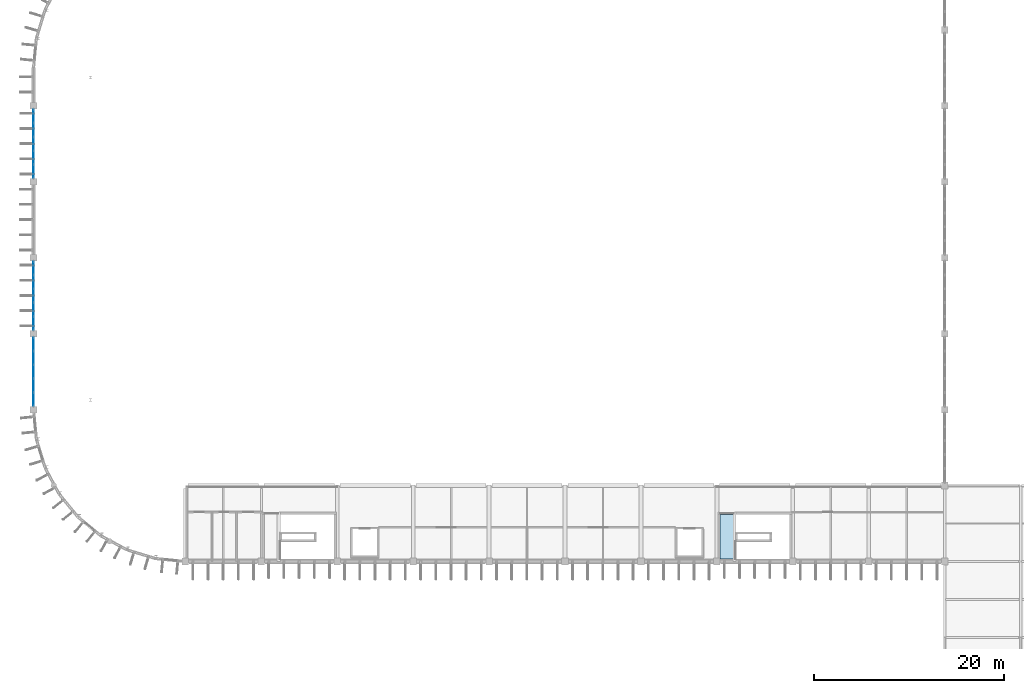
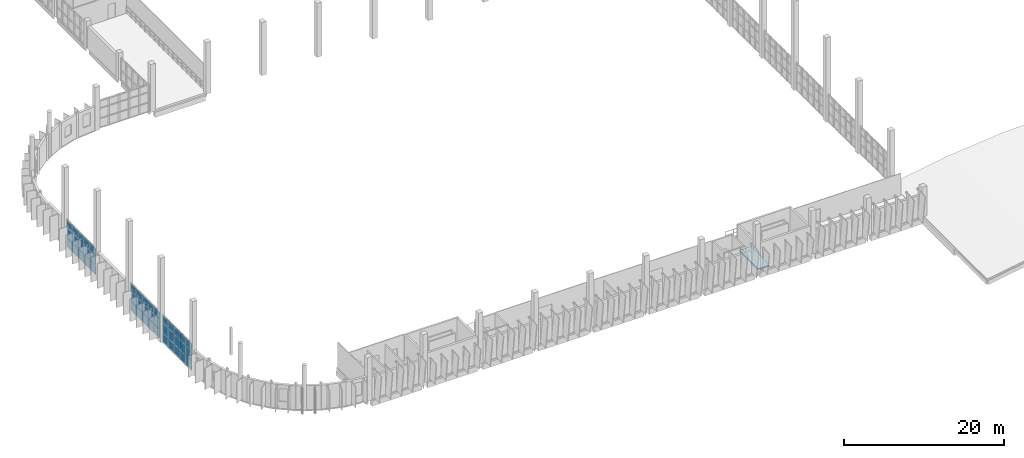
# One storey, part 36 of 66: 45 plates, 1 slab, 3 elements without a shape of their own.
"""IFC4 building model written with IfcOpenShell, lengths in metres."""

from ifc_helpers import new_model, si_unit, direction, frame, origin, origin_2d, place, context, subcontext, project, spatial, polyline, rectangle, outline, extrude, material, layer, layer_set, type_object, element, aggregate, save


model = new_model("IFC4")

# Units and contexts
model_context = context("Model", 3, precision=1e-05, world=origin(), true_north=direction((0.0, 1.0)))
body_context = subcontext(model_context, "Body", "Model", "MODEL_VIEW")
ifc_project = project(units=[si_unit("LENGTHUNIT", "METRE"), si_unit("AREAUNIT", "SQUARE_METRE"), si_unit("VOLUMEUNIT", "CUBIC_METRE"), si_unit("PLANEANGLEUNIT", "RADIAN"), si_unit("MASSUNIT", "GRAM", prefix="KILO")], contexts=[model_context])

# Site, building, storey
site_placement = place(None, origin())
site = spatial("IfcSite", under=ifc_project, at=site_placement, CompositionType="ELEMENT")
building_placement = place(site_placement, origin())
building = spatial("IfcBuilding", under=site, at=building_placement, Name="Drelvana Railside Aquatics Centre", CompositionType="ELEMENT")
storey_placement = place(building_placement, frame((0.0, 0.0, 10.199951171875)))
storey = spatial("IfcBuildingStorey", under=building, at=storey_placement, Name="L02", CompositionType="ELEMENT", Elevation=10.199951171875)

# Curtain wall, plates
ifc_material_1 = material(Name="Bronze-anodised aluminium curtain wall", Category="aluminium")
ifc_layer_1 = layer(ifc_material_1, 0.219970703125, Name="Bronze-anodised aluminium curtain wall")
ifc_layer_set_1 = layer_set([ifc_layer_1], Name="Bronze-anodised aluminium curtain wall")
curtain_wall_type = type_object("IfcCurtainWallType", Name="CW-Z3-HIGH", PredefinedType="NOTDEFINED", material=ifc_layer_set_1)
curtain_wall_1_placement = place(storey_placement, origin())
curtain_wall_1 = element("IfcCurtainWall", 1, at=curtain_wall_1_placement, inside=storey, type_object=curtain_wall_type, Name="Curtain wall CW-03-043", PredefinedType="NOTDEFINED")
ifc_material_2 = material(Name="Double-glazed low-e solar-control glass", Category="glass")
ifc_layer_2 = layer(ifc_material_2, 0.035888671875, Name="Double-glazed low-e solar-control glass")
ifc_layer_set_2 = layer_set([ifc_layer_2], Name="Double-glazed low-e solar-control glass")
plate_type = type_object("IfcPlateType", Name="CW-Z3-HIGH-PAN", PredefinedType="CURTAIN_PANEL", material=ifc_layer_set_2)
plate_1_placement = place(storey_placement, frame((0.0, 33.09521484375, 0.06396484375), z_axis=(0.0, 0.0, 1.0), x_axis=(0.0, 1.0, 0.0)))
plate_1 = element("IfcPlate", 2, at=plate_1_placement, type_object=plate_type, Name="CW-03 panel 1.1", PredefinedType="CURTAIN_PANEL", context=body_context, shape_type="SweptSolid", body=[
    extrude(rectangle(XDim=1.352294921875, YDim=0.035888671875, at=origin_2d()), origin(), (0.0, 0.0, 1.0), 1.366455078125),
])
plate_2_placement = place(storey_placement, frame((0.0, 33.09521484375, 1.49560546875), z_axis=(0.0, 0.0, 1.0), x_axis=(0.0, 1.0, 0.0)))
plate_2 = element("IfcPlate", 3, at=plate_2_placement, type_object=plate_type, Name="CW-03 panel 1.2", PredefinedType="CURTAIN_PANEL", context=body_context, shape_type="SweptSolid", body=[
    extrude(rectangle(XDim=1.352294921875, YDim=0.035888671875, at=origin_2d()), origin(), (0.0, 0.0, 1.0), 1.487060546875),
])
plate_3_placement = place(storey_placement, frame((0.0, 33.09521484375, 3.04736328125), z_axis=(0.0, 0.0, 1.0), x_axis=(0.0, 1.0, 0.0)))
plate_3 = element("IfcPlate", 4, at=plate_3_placement, type_object=plate_type, Name="CW-03 panel 1.3", PredefinedType="CURTAIN_PANEL", context=body_context, shape_type="SweptSolid", body=[
    extrude(rectangle(XDim=1.352294921875, YDim=0.035888671875, at=origin_2d()), origin(), (0.0, 0.0, 1.0), 1.072509765625),
])
plate_4_placement = place(storey_placement, frame((0.0, 34.53759765625, 0.06396484375), z_axis=(0.0, 0.0, 1.0), x_axis=(0.0, 1.0, 0.0)))
plate_4 = element("IfcPlate", 5, at=plate_4_placement, type_object=plate_type, Name="CW-03 panel 2.1", PredefinedType="CURTAIN_PANEL", context=body_context, shape_type="SweptSolid", body=[
    extrude(rectangle(XDim=1.392333984375, YDim=0.035888671875, at=origin_2d()), origin(), (0.0, 0.0, 1.0), 1.366455078125),
])
plate_5_placement = place(storey_placement, frame((0.0, 34.53759765625, 1.49560546875), z_axis=(0.0, 0.0, 1.0), x_axis=(0.0, 1.0, 0.0)))
plate_5 = element("IfcPlate", 6, at=plate_5_placement, type_object=plate_type, Name="CW-03 panel 2.2", PredefinedType="CURTAIN_PANEL", context=body_context, shape_type="SweptSolid", body=[
    extrude(rectangle(XDim=1.392333984375, YDim=0.035888671875, at=origin_2d()), origin(), (0.0, 0.0, 1.0), 1.487060546875),
])
plate_6_placement = place(storey_placement, frame((0.0, 34.53759765625, 3.04736328125), z_axis=(0.0, 0.0, 1.0), x_axis=(0.0, 1.0, 0.0)))
plate_6 = element("IfcPlate", 7, at=plate_6_placement, type_object=plate_type, Name="CW-03 panel 2.3", PredefinedType="CURTAIN_PANEL", context=body_context, shape_type="SweptSolid", body=[
    extrude(rectangle(XDim=1.392333984375, YDim=0.035888671875, at=origin_2d()), origin(), (0.0, 0.0, 1.0), 1.072509765625),
])
plate_7_placement = place(storey_placement, frame((0.0, 36.0, 0.06396484375), z_axis=(0.0, 0.0, 1.0), x_axis=(0.0, 1.0, 0.0)))
plate_7 = element("IfcPlate", 8, at=plate_7_placement, type_object=plate_type, Name="CW-03 panel 3.1", PredefinedType="CURTAIN_PANEL", context=body_context, shape_type="SweptSolid", body=[
    extrude(rectangle(XDim=1.392333984375, YDim=0.035888671875, at=origin_2d()), origin(), (0.0, 0.0, 1.0), 1.366455078125),
])
plate_8_placement = place(storey_placement, frame((0.0, 36.0, 1.49560546875), z_axis=(0.0, 0.0, 1.0), x_axis=(0.0, 1.0, 0.0)))
plate_8 = element("IfcPlate", 9, at=plate_8_placement, type_object=plate_type, Name="CW-03 panel 3.2", PredefinedType="CURTAIN_PANEL", context=body_context, shape_type="SweptSolid", body=[
    extrude(rectangle(XDim=1.392333984375, YDim=0.035888671875, at=origin_2d()), origin(), (0.0, 0.0, 1.0), 1.487060546875),
])
plate_9_placement = place(storey_placement, frame((0.0, 36.0, 3.04736328125), z_axis=(0.0, 0.0, 1.0), x_axis=(0.0, 1.0, 0.0)))
plate_9 = element("IfcPlate", 10, at=plate_9_placement, type_object=plate_type, Name="CW-03 panel 3.3", PredefinedType="CURTAIN_PANEL", context=body_context, shape_type="SweptSolid", body=[
    extrude(rectangle(XDim=1.392333984375, YDim=0.035888671875, at=origin_2d()), origin(), (0.0, 0.0, 1.0), 1.072509765625),
])
plate_10_placement = place(storey_placement, frame((0.0, 37.46240234375, 0.06396484375), z_axis=(0.0, 0.0, 1.0), x_axis=(0.0, 1.0, 0.0)))
plate_10 = element("IfcPlate", 11, at=plate_10_placement, type_object=plate_type, Name="CW-03 panel 4.1", PredefinedType="CURTAIN_PANEL", context=body_context, shape_type="SweptSolid", body=[
    extrude(rectangle(XDim=1.392333984375, YDim=0.035888671875, at=origin_2d()), origin(), (0.0, 0.0, 1.0), 1.366455078125),
])
plate_11_placement = place(storey_placement, frame((0.0, 37.46240234375, 1.49560546875), z_axis=(0.0, 0.0, 1.0), x_axis=(0.0, 1.0, 0.0)))
plate_11 = element("IfcPlate", 12, at=plate_11_placement, type_object=plate_type, Name="CW-03 panel 4.2", PredefinedType="CURTAIN_PANEL", context=body_context, shape_type="SweptSolid", body=[
    extrude(rectangle(XDim=1.392333984375, YDim=0.035888671875, at=origin_2d()), origin(), (0.0, 0.0, 1.0), 1.487060546875),
])
plate_12_placement = place(storey_placement, frame((0.0, 37.46240234375, 3.04736328125), z_axis=(0.0, 0.0, 1.0), x_axis=(0.0, 1.0, 0.0)))
plate_12 = element("IfcPlate", 13, at=plate_12_placement, type_object=plate_type, Name="CW-03 panel 4.3", PredefinedType="CURTAIN_PANEL", context=body_context, shape_type="SweptSolid", body=[
    extrude(rectangle(XDim=1.392333984375, YDim=0.035888671875, at=origin_2d()), origin(), (0.0, 0.0, 1.0), 1.072509765625),
])
plate_13_placement = place(storey_placement, frame((0.0, 38.90478515625, 0.06396484375), z_axis=(0.0, 0.0, 1.0), x_axis=(0.0, 1.0, 0.0)))
plate_13 = element("IfcPlate", 14, at=plate_13_placement, type_object=plate_type, Name="CW-03 panel 5.1", PredefinedType="CURTAIN_PANEL", context=body_context, shape_type="SweptSolid", body=[
    extrude(rectangle(XDim=1.352294921875, YDim=0.035888671875, at=origin_2d()), origin(), (0.0, 0.0, 1.0), 1.366455078125),
])
plate_14_placement = place(storey_placement, frame((0.0, 38.90478515625, 1.49560546875), z_axis=(0.0, 0.0, 1.0), x_axis=(0.0, 1.0, 0.0)))
plate_14 = element("IfcPlate", 15, at=plate_14_placement, type_object=plate_type, Name="CW-03 panel 5.2", PredefinedType="CURTAIN_PANEL", context=body_context, shape_type="SweptSolid", body=[
    extrude(rectangle(XDim=1.352294921875, YDim=0.035888671875, at=origin_2d()), origin(), (0.0, 0.0, 1.0), 1.487060546875),
])
plate_15_placement = place(storey_placement, frame((0.0, 38.90478515625, 3.04736328125), z_axis=(0.0, 0.0, 1.0), x_axis=(0.0, 1.0, 0.0)))
plate_15 = element("IfcPlate", 16, at=plate_15_placement, type_object=plate_type, Name="CW-03 panel 5.3", PredefinedType="CURTAIN_PANEL", context=body_context, shape_type="SweptSolid", body=[
    extrude(rectangle(XDim=1.352294921875, YDim=0.035888671875, at=origin_2d()), origin(), (0.0, 0.0, 1.0), 1.072509765625),
])
aggregate(curtain_wall_1, [plate_1, plate_2, plate_3, plate_4, plate_5, plate_6, plate_7, plate_8, plate_9, plate_10, plate_11, plate_12, plate_13, plate_14, plate_15])

curtain_wall_2_placement = place(storey_placement, origin())
curtain_wall_2 = element("IfcCurtainWall", 17, at=curtain_wall_2_placement, inside=storey, type_object=curtain_wall_type, Name="Curtain wall CW-03-047", PredefinedType="NOTDEFINED")
plate_16_placement = place(storey_placement, frame((0.0, 41.09521484375, 0.06396484375), z_axis=(0.0, 0.0, 1.0), x_axis=(0.0, 1.0, 0.0)))
plate_16 = element("IfcPlate", 18, at=plate_16_placement, type_object=plate_type, Name="CW-03 panel 1.1", PredefinedType="CURTAIN_PANEL", context=body_context, shape_type="SweptSolid", body=[
    extrude(rectangle(XDim=1.352294921875, YDim=0.035888671875, at=origin_2d()), origin(), (0.0, 0.0, 1.0), 1.366455078125),
])
plate_17_placement = place(storey_placement, frame((0.0, 41.09521484375, 1.49560546875), z_axis=(0.0, 0.0, 1.0), x_axis=(0.0, 1.0, 0.0)))
plate_17 = element("IfcPlate", 19, at=plate_17_placement, type_object=plate_type, Name="CW-03 panel 1.2", PredefinedType="CURTAIN_PANEL", context=body_context, shape_type="SweptSolid", body=[
    extrude(rectangle(XDim=1.352294921875, YDim=0.035888671875, at=origin_2d()), origin(), (0.0, 0.0, 1.0), 1.487060546875),
])
plate_18_placement = place(storey_placement, frame((0.0, 41.09521484375, 3.04736328125), z_axis=(0.0, 0.0, 1.0), x_axis=(0.0, 1.0, 0.0)))
plate_18 = element("IfcPlate", 20, at=plate_18_placement, type_object=plate_type, Name="CW-03 panel 1.3", PredefinedType="CURTAIN_PANEL", context=body_context, shape_type="SweptSolid", body=[
    extrude(rectangle(XDim=1.352294921875, YDim=0.035888671875, at=origin_2d()), origin(), (0.0, 0.0, 1.0), 1.072509765625),
])
plate_19_placement = place(storey_placement, frame((0.0, 42.53759765625, 0.06396484375), z_axis=(0.0, 0.0, 1.0), x_axis=(0.0, 1.0, 0.0)))
plate_19 = element("IfcPlate", 21, at=plate_19_placement, type_object=plate_type, Name="CW-03 panel 2.1", PredefinedType="CURTAIN_PANEL", context=body_context, shape_type="SweptSolid", body=[
    extrude(rectangle(XDim=1.392333984375, YDim=0.035888671875, at=origin_2d()), origin(), (0.0, 0.0, 1.0), 1.366455078125),
])
plate_20_placement = place(storey_placement, frame((0.0, 42.53759765625, 1.49560546875), z_axis=(0.0, 0.0, 1.0), x_axis=(0.0, 1.0, 0.0)))
plate_20 = element("IfcPlate", 22, at=plate_20_placement, type_object=plate_type, Name="CW-03 panel 2.2", PredefinedType="CURTAIN_PANEL", context=body_context, shape_type="SweptSolid", body=[
    extrude(rectangle(XDim=1.392333984375, YDim=0.035888671875, at=origin_2d()), origin(), (0.0, 0.0, 1.0), 1.487060546875),
])
plate_21_placement = place(storey_placement, frame((0.0, 42.53759765625, 3.04736328125), z_axis=(0.0, 0.0, 1.0), x_axis=(0.0, 1.0, 0.0)))
plate_21 = element("IfcPlate", 23, at=plate_21_placement, type_object=plate_type, Name="CW-03 panel 2.3", PredefinedType="CURTAIN_PANEL", context=body_context, shape_type="SweptSolid", body=[
    extrude(rectangle(XDim=1.392333984375, YDim=0.035888671875, at=origin_2d()), origin(), (0.0, 0.0, 1.0), 1.072509765625),
])
plate_22_placement = place(storey_placement, frame((0.0, 44.0, 0.06396484375), z_axis=(0.0, 0.0, 1.0), x_axis=(0.0, 1.0, 0.0)))
plate_22 = element("IfcPlate", 24, at=plate_22_placement, type_object=plate_type, Name="CW-03 panel 3.1", PredefinedType="CURTAIN_PANEL", context=body_context, shape_type="SweptSolid", body=[
    extrude(rectangle(XDim=1.392333984375, YDim=0.035888671875, at=origin_2d()), origin(), (0.0, 0.0, 1.0), 1.366455078125),
])
plate_23_placement = place(storey_placement, frame((0.0, 44.0, 1.49560546875), z_axis=(0.0, 0.0, 1.0), x_axis=(0.0, 1.0, 0.0)))
plate_23 = element("IfcPlate", 25, at=plate_23_placement, type_object=plate_type, Name="CW-03 panel 3.2", PredefinedType="CURTAIN_PANEL", context=body_context, shape_type="SweptSolid", body=[
    extrude(rectangle(XDim=1.392333984375, YDim=0.035888671875, at=origin_2d()), origin(), (0.0, 0.0, 1.0), 1.487060546875),
])
plate_24_placement = place(storey_placement, frame((0.0, 44.0, 3.04736328125), z_axis=(0.0, 0.0, 1.0), x_axis=(0.0, 1.0, 0.0)))
plate_24 = element("IfcPlate", 26, at=plate_24_placement, type_object=plate_type, Name="CW-03 panel 3.3", PredefinedType="CURTAIN_PANEL", context=body_context, shape_type="SweptSolid", body=[
    extrude(rectangle(XDim=1.392333984375, YDim=0.035888671875, at=origin_2d()), origin(), (0.0, 0.0, 1.0), 1.072509765625),
])
plate_25_placement = place(storey_placement, frame((0.0, 45.46240234375, 0.06396484375), z_axis=(0.0, 0.0, 1.0), x_axis=(0.0, 1.0, 0.0)))
plate_25 = element("IfcPlate", 27, at=plate_25_placement, type_object=plate_type, Name="CW-03 panel 4.1", PredefinedType="CURTAIN_PANEL", context=body_context, shape_type="SweptSolid", body=[
    extrude(rectangle(XDim=1.392333984375, YDim=0.035888671875, at=origin_2d()), origin(), (0.0, 0.0, 1.0), 1.366455078125),
])
plate_26_placement = place(storey_placement, frame((0.0, 45.46240234375, 1.49560546875), z_axis=(0.0, 0.0, 1.0), x_axis=(0.0, 1.0, 0.0)))
plate_26 = element("IfcPlate", 28, at=plate_26_placement, type_object=plate_type, Name="CW-03 panel 4.2", PredefinedType="CURTAIN_PANEL", context=body_context, shape_type="SweptSolid", body=[
    extrude(rectangle(XDim=1.392333984375, YDim=0.035888671875, at=origin_2d()), origin(), (0.0, 0.0, 1.0), 1.487060546875),
])
plate_27_placement = place(storey_placement, frame((0.0, 45.46240234375, 3.04736328125), z_axis=(0.0, 0.0, 1.0), x_axis=(0.0, 1.0, 0.0)))
plate_27 = element("IfcPlate", 29, at=plate_27_placement, type_object=plate_type, Name="CW-03 panel 4.3", PredefinedType="CURTAIN_PANEL", context=body_context, shape_type="SweptSolid", body=[
    extrude(rectangle(XDim=1.392333984375, YDim=0.035888671875, at=origin_2d()), origin(), (0.0, 0.0, 1.0), 1.072509765625),
])
plate_28_placement = place(storey_placement, frame((0.0, 46.90478515625, 0.06396484375), z_axis=(0.0, 0.0, 1.0), x_axis=(0.0, 1.0, 0.0)))
plate_28 = element("IfcPlate", 30, at=plate_28_placement, type_object=plate_type, Name="CW-03 panel 5.1", PredefinedType="CURTAIN_PANEL", context=body_context, shape_type="SweptSolid", body=[
    extrude(rectangle(XDim=1.352294921875, YDim=0.035888671875, at=origin_2d()), origin(), (0.0, 0.0, 1.0), 1.366455078125),
])
plate_29_placement = place(storey_placement, frame((0.0, 46.90478515625, 1.49560546875), z_axis=(0.0, 0.0, 1.0), x_axis=(0.0, 1.0, 0.0)))
plate_29 = element("IfcPlate", 31, at=plate_29_placement, type_object=plate_type, Name="CW-03 panel 5.2", PredefinedType="CURTAIN_PANEL", context=body_context, shape_type="SweptSolid", body=[
    extrude(rectangle(XDim=1.352294921875, YDim=0.035888671875, at=origin_2d()), origin(), (0.0, 0.0, 1.0), 1.487060546875),
])
plate_30_placement = place(storey_placement, frame((0.0, 46.90478515625, 3.04736328125), z_axis=(0.0, 0.0, 1.0), x_axis=(0.0, 1.0, 0.0)))
plate_30 = element("IfcPlate", 32, at=plate_30_placement, type_object=plate_type, Name="CW-03 panel 5.3", PredefinedType="CURTAIN_PANEL", context=body_context, shape_type="SweptSolid", body=[
    extrude(rectangle(XDim=1.352294921875, YDim=0.035888671875, at=origin_2d()), origin(), (0.0, 0.0, 1.0), 1.072509765625),
])
aggregate(curtain_wall_2, [plate_16, plate_17, plate_18, plate_19, plate_20, plate_21, plate_22, plate_23, plate_24, plate_25, plate_26, plate_27, plate_28, plate_29, plate_30])

curtain_wall_3_placement = place(storey_placement, origin())
curtain_wall_3 = element("IfcCurtainWall", 33, at=curtain_wall_3_placement, inside=storey, type_object=curtain_wall_type, Name="Curtain wall CW-03-052", PredefinedType="NOTDEFINED")
plate_31_placement = place(storey_placement, frame((0.0, 57.09521484375, 0.06396484375), z_axis=(0.0, 0.0, 1.0), x_axis=(0.0, 1.0, 0.0)))
plate_31 = element("IfcPlate", 34, at=plate_31_placement, type_object=plate_type, Name="CW-03 panel 1.1", PredefinedType="CURTAIN_PANEL", context=body_context, shape_type="SweptSolid", body=[
    extrude(rectangle(XDim=1.352294921875, YDim=0.035888671875, at=origin_2d()), origin(), (0.0, 0.0, 1.0), 1.366455078125),
])
plate_32_placement = place(storey_placement, frame((0.0, 57.09521484375, 1.49560546875), z_axis=(0.0, 0.0, 1.0), x_axis=(0.0, 1.0, 0.0)))
plate_32 = element("IfcPlate", 35, at=plate_32_placement, type_object=plate_type, Name="CW-03 panel 1.2", PredefinedType="CURTAIN_PANEL", context=body_context, shape_type="SweptSolid", body=[
    extrude(rectangle(XDim=1.352294921875, YDim=0.035888671875, at=origin_2d()), origin(), (0.0, 0.0, 1.0), 1.487060546875),
])
plate_33_placement = place(storey_placement, frame((0.0, 57.09521484375, 3.04736328125), z_axis=(0.0, 0.0, 1.0), x_axis=(0.0, 1.0, 0.0)))
plate_33 = element("IfcPlate", 36, at=plate_33_placement, type_object=plate_type, Name="CW-03 panel 1.3", PredefinedType="CURTAIN_PANEL", context=body_context, shape_type="SweptSolid", body=[
    extrude(rectangle(XDim=1.352294921875, YDim=0.035888671875, at=origin_2d()), origin(), (0.0, 0.0, 1.0), 1.072509765625),
])
plate_34_placement = place(storey_placement, frame((0.0, 58.53759765625, 0.06396484375), z_axis=(0.0, 0.0, 1.0), x_axis=(0.0, 1.0, 0.0)))
plate_34 = element("IfcPlate", 37, at=plate_34_placement, type_object=plate_type, Name="CW-03 panel 2.1", PredefinedType="CURTAIN_PANEL", context=body_context, shape_type="SweptSolid", body=[
    extrude(rectangle(XDim=1.392333984375, YDim=0.035888671875, at=origin_2d()), origin(), (0.0, 0.0, 1.0), 1.366455078125),
])
plate_35_placement = place(storey_placement, frame((0.0, 58.53759765625, 1.49560546875), z_axis=(0.0, 0.0, 1.0), x_axis=(0.0, 1.0, 0.0)))
plate_35 = element("IfcPlate", 38, at=plate_35_placement, type_object=plate_type, Name="CW-03 panel 2.2", PredefinedType="CURTAIN_PANEL", context=body_context, shape_type="SweptSolid", body=[
    extrude(rectangle(XDim=1.392333984375, YDim=0.035888671875, at=origin_2d()), origin(), (0.0, 0.0, 1.0), 1.487060546875),
])
plate_36_placement = place(storey_placement, frame((0.0, 58.53759765625, 3.04736328125), z_axis=(0.0, 0.0, 1.0), x_axis=(0.0, 1.0, 0.0)))
plate_36 = element("IfcPlate", 39, at=plate_36_placement, type_object=plate_type, Name="CW-03 panel 2.3", PredefinedType="CURTAIN_PANEL", context=body_context, shape_type="SweptSolid", body=[
    extrude(rectangle(XDim=1.392333984375, YDim=0.035888671875, at=origin_2d()), origin(), (0.0, 0.0, 1.0), 1.072509765625),
])
plate_37_placement = place(storey_placement, frame((0.0, 60.0, 0.06396484375), z_axis=(0.0, 0.0, 1.0), x_axis=(0.0, 1.0, 0.0)))
plate_37 = element("IfcPlate", 40, at=plate_37_placement, type_object=plate_type, Name="CW-03 panel 3.1", PredefinedType="CURTAIN_PANEL", context=body_context, shape_type="SweptSolid", body=[
    extrude(rectangle(XDim=1.392333984375, YDim=0.035888671875, at=origin_2d()), origin(), (0.0, 0.0, 1.0), 1.366455078125),
])
plate_38_placement = place(storey_placement, frame((0.0, 60.0, 1.49560546875), z_axis=(0.0, 0.0, 1.0), x_axis=(0.0, 1.0, 0.0)))
plate_38 = element("IfcPlate", 41, at=plate_38_placement, type_object=plate_type, Name="CW-03 panel 3.2", PredefinedType="CURTAIN_PANEL", context=body_context, shape_type="SweptSolid", body=[
    extrude(rectangle(XDim=1.392333984375, YDim=0.035888671875, at=origin_2d()), origin(), (0.0, 0.0, 1.0), 1.487060546875),
])
plate_39_placement = place(storey_placement, frame((0.0, 60.0, 3.04736328125), z_axis=(0.0, 0.0, 1.0), x_axis=(0.0, 1.0, 0.0)))
plate_39 = element("IfcPlate", 42, at=plate_39_placement, type_object=plate_type, Name="CW-03 panel 3.3", PredefinedType="CURTAIN_PANEL", context=body_context, shape_type="SweptSolid", body=[
    extrude(rectangle(XDim=1.392333984375, YDim=0.035888671875, at=origin_2d()), origin(), (0.0, 0.0, 1.0), 1.072509765625),
])
plate_40_placement = place(storey_placement, frame((0.0, 61.46240234375, 0.06396484375), z_axis=(0.0, 0.0, 1.0), x_axis=(0.0, 1.0, 0.0)))
plate_40 = element("IfcPlate", 43, at=plate_40_placement, type_object=plate_type, Name="CW-03 panel 4.1", PredefinedType="CURTAIN_PANEL", context=body_context, shape_type="SweptSolid", body=[
    extrude(rectangle(XDim=1.392333984375, YDim=0.035888671875, at=origin_2d()), origin(), (0.0, 0.0, 1.0), 1.366455078125),
])
plate_41_placement = place(storey_placement, frame((0.0, 61.46240234375, 1.49560546875), z_axis=(0.0, 0.0, 1.0), x_axis=(0.0, 1.0, 0.0)))
plate_41 = element("IfcPlate", 44, at=plate_41_placement, type_object=plate_type, Name="CW-03 panel 4.2", PredefinedType="CURTAIN_PANEL", context=body_context, shape_type="SweptSolid", body=[
    extrude(rectangle(XDim=1.392333984375, YDim=0.035888671875, at=origin_2d()), origin(), (0.0, 0.0, 1.0), 1.487060546875),
])
plate_42_placement = place(storey_placement, frame((0.0, 61.46240234375, 3.04736328125), z_axis=(0.0, 0.0, 1.0), x_axis=(0.0, 1.0, 0.0)))
plate_42 = element("IfcPlate", 45, at=plate_42_placement, type_object=plate_type, Name="CW-03 panel 4.3", PredefinedType="CURTAIN_PANEL", context=body_context, shape_type="SweptSolid", body=[
    extrude(rectangle(XDim=1.392333984375, YDim=0.035888671875, at=origin_2d()), origin(), (0.0, 0.0, 1.0), 1.072509765625),
])
plate_43_placement = place(storey_placement, frame((0.0, 62.90478515625, 0.06396484375), z_axis=(0.0, 0.0, 1.0), x_axis=(0.0, 1.0, 0.0)))
plate_43 = element("IfcPlate", 46, at=plate_43_placement, type_object=plate_type, Name="CW-03 panel 5.1", PredefinedType="CURTAIN_PANEL", context=body_context, shape_type="SweptSolid", body=[
    extrude(rectangle(XDim=1.352294921875, YDim=0.035888671875, at=origin_2d()), origin(), (0.0, 0.0, 1.0), 1.366455078125),
])
plate_44_placement = place(storey_placement, frame((0.0, 62.90478515625, 1.49560546875), z_axis=(0.0, 0.0, 1.0), x_axis=(0.0, 1.0, 0.0)))
plate_44 = element("IfcPlate", 47, at=plate_44_placement, type_object=plate_type, Name="CW-03 panel 5.2", PredefinedType="CURTAIN_PANEL", context=body_context, shape_type="SweptSolid", body=[
    extrude(rectangle(XDim=1.352294921875, YDim=0.035888671875, at=origin_2d()), origin(), (0.0, 0.0, 1.0), 1.487060546875),
])
plate_45_placement = place(storey_placement, frame((0.0, 62.90478515625, 3.04736328125), z_axis=(0.0, 0.0, 1.0), x_axis=(0.0, 1.0, 0.0)))
plate_45 = element("IfcPlate", 48, at=plate_45_placement, type_object=plate_type, Name="CW-03 panel 5.3", PredefinedType="CURTAIN_PANEL", context=body_context, shape_type="SweptSolid", body=[
    extrude(rectangle(XDim=1.352294921875, YDim=0.035888671875, at=origin_2d()), origin(), (0.0, 0.0, 1.0), 1.072509765625),
])
aggregate(curtain_wall_3, [plate_31, plate_32, plate_33, plate_34, plate_35, plate_36, plate_37, plate_38, plate_39, plate_40, plate_41, plate_42, plate_43, plate_44, plate_45])

# Slab
ifc_material_3 = material(Name="Concrete C40/50", Category="concrete")
ifc_layer_3 = layer(ifc_material_3, 0.199951171875, Name="Concrete C40/50")
ifc_layer_set_3 = layer_set([ifc_layer_3], Name="Concrete C40/50")
slab_type = type_object("IfcSlabType", Name="SL-LAND-200", PredefinedType="LANDING", material=ifc_layer_set_3)
slab_placement = place(storey_placement, frame((0.0, 0.0, -0.199951171875)))
element("IfcSlab", 49, at=slab_placement, inside=storey, type_object=slab_type, Name="Stair ST-02 L02 floor landing", PredefinedType="LANDING", context=body_context, shape_type="SweptSolid", body=[
    extrude(outline(polyline([(72.35009765625, 16.25), (74.030029296875, 16.25), (74.030029296875, 20.949951171875), (72.35009765625, 20.949951171875), (72.35009765625, 16.25)])), origin(), (0.0, 0.0, 1.0), 0.199951171875),
])

save(model, "model.ifc")
